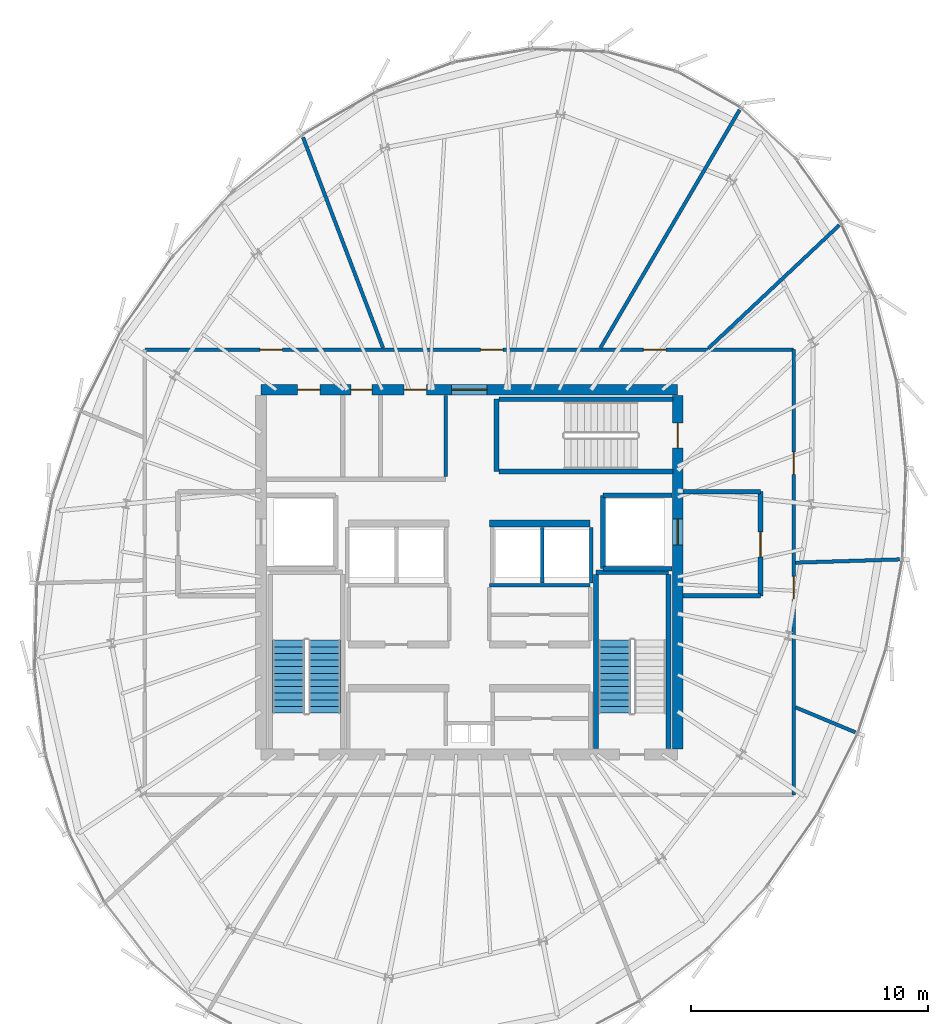
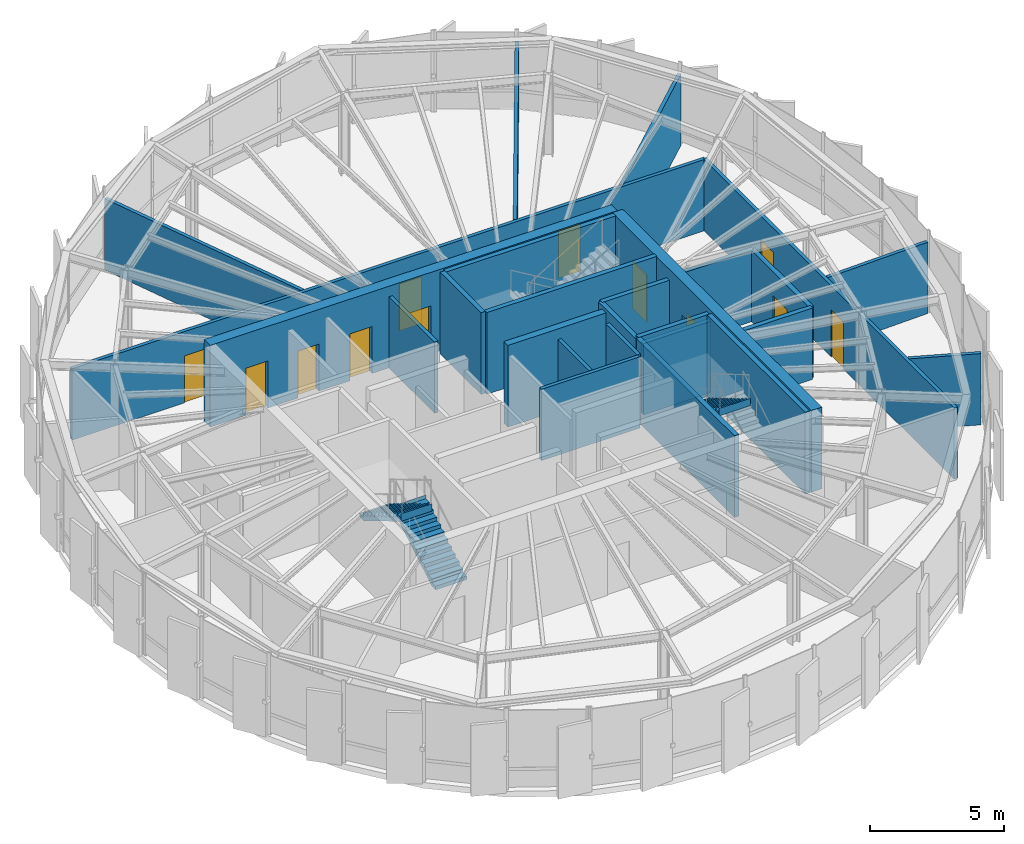
# One storey, part 21 of 25: 26 walls, 12 doors, 3 stair flights, 12 openings, 2 elements without a shape of their own.
"""IFC4 building model written with IfcOpenShell, lengths in metres."""

from ifc_helpers import new_model, si_unit, direction, frame, frame_2d, origin, place, context, subcontext, project, spatial, polyline, rectangle, outline, extrude, source, transform, mapped, material, layer, layer_set, type_object, element, fill, aggregate, save


model = new_model("IFC4")

# Units and contexts
model_context = context("Model", 3, precision=1e-05, world=origin(), true_north=direction((0.0, 1.0)))
body_context = subcontext(model_context, "Body", "Model", "MODEL_VIEW")
ifc_project = project(units=[si_unit("LENGTHUNIT", "METRE"), si_unit("AREAUNIT", "SQUARE_METRE"), si_unit("VOLUMEUNIT", "CUBIC_METRE"), si_unit("PLANEANGLEUNIT", "RADIAN"), si_unit("MASSUNIT", "GRAM", prefix="KILO"), si_unit("THERMODYNAMICTEMPERATUREUNIT", "KELVIN")], contexts=[model_context])

# Site, building, storey
site_placement = place(None, origin())
site = spatial("IfcSite", under=ifc_project, at=site_placement, CompositionType="ELEMENT")
building_placement = place(site_placement, origin())
building = spatial("IfcBuilding", under=site, at=building_placement, Name="Kethvar Cultural Tower", CompositionType="ELEMENT")
storey_placement = place(building_placement, frame((0.0, 0.0, 304.300048828125)))
storey = spatial("IfcBuildingStorey", under=building, at=storey_placement, Name="L81", CompositionType="ELEMENT", Elevation=304.300048828125)

# Wall, openings, doors
ifc_material_1 = material(Name="Concrete C50/60", Category="concrete")
ifc_layer_1 = layer(ifc_material_1, 0.449951171875, Name="Concrete C50/60", Category="concrete")
ifc_layer_set_1 = layer_set([ifc_layer_1], Name="Concrete C50/60 (450 mm)")
wall_type_1 = type_object("IfcWallType", Name="WL-CORE-450", PredefinedType="SHEAR", material=ifc_layer_set_1)
wall_1_placement = place(storey_placement, frame((55.60009765625, 35.5, 0.0), z_axis=(0.0, 0.0, 1.0), x_axis=(-1.0, 0.0, 0.0)))
wall_1 = element("IfcWall", 1, at=wall_1_placement, inside=storey, type_object=wall_type_1, Name="L81 Core Shear Wall N", PredefinedType="SHEAR", context=body_context, shape_type="SweptSolid", body=[
    extrude(rectangle(XDim=17.60009765625, YDim=0.449951171875, at=frame_2d((8.800048828125, 0.0))), origin(), (0.0, 0.0, 1.0), 3.73486328125),
])
opening_1_placement = place(wall_1_placement, frame((8.050048828125, 0.0, 0.0)))
opening_1 = element("IfcOpeningElement", 2, at=opening_1_placement, cuts=wall_1, Name="Opening D-L81-LN", PredefinedType="OPENING", context=body_context, shape_type="SweptSolid", body=[
    extrude(rectangle(XDim=1.5, YDim=2.199951171875, at=frame_2d((0.75, 1.10009765625))), frame((0.0, 0.23486328125, 0.0), z_axis=(0.0, -1.0, 0.0), x_axis=(1.0, 0.0, 0.0)), (0.0, 0.0, 1.0), 0.469970703125),
])
opening_2_placement = place(wall_1_placement, frame((15.10009765625, 0.0, 0.0)))
opening_2 = element("IfcOpeningElement", 3, at=opening_2_placement, cuts=wall_1, Name="Opening D-L81-E1", PredefinedType="OPENING", context=body_context, shape_type="SweptSolid", body=[
    extrude(rectangle(XDim=0.949951171875, YDim=2.14990234375, at=frame_2d((0.47509765625, 1.074951171875))), frame((0.0, 0.23486328125, 0.0), z_axis=(0.0, -1.0, 0.0), x_axis=(1.0, 0.0, 0.0)), (0.0, 0.0, 1.0), 0.469970703125),
])
opening_3_placement = place(wall_1_placement, frame((12.89990234375, 0.0, 0.0)))
opening_3 = element("IfcOpeningElement", 4, at=opening_3_placement, cuts=wall_1, Name="Opening D-L81-W1", PredefinedType="OPENING", context=body_context, shape_type="SweptSolid", body=[
    extrude(rectangle(XDim=0.89990234375, YDim=2.14990234375, at=frame_2d((0.449951171875, 1.074951171875))), frame((0.0, 0.23486328125, 0.0), z_axis=(0.0, -1.0, 0.0), x_axis=(1.0, 0.0, 0.0)), (0.0, 0.0, 1.0), 0.469970703125),
])
opening_4_placement = place(wall_1_placement, frame((10.60009765625, 0.0, 0.0)))
opening_4 = element("IfcOpeningElement", 5, at=opening_4_placement, cuts=wall_1, Name="Opening D-L81-W2", PredefinedType="OPENING", context=body_context, shape_type="SweptSolid", body=[
    extrude(rectangle(XDim=0.949951171875, YDim=2.14990234375, at=frame_2d((0.47509765625, 1.074951171875))), frame((0.0, 0.23486328125, 0.0), z_axis=(0.0, -1.0, 0.0), x_axis=(1.0, 0.0, 0.0)), (0.0, 0.0, 1.0), 0.469970703125),
])
ifc_material_2 = material(Name="Architectural Oak Timber", Category="wood")
door_type_1 = type_object("IfcDoorType", Name="DR-DBL-FD60-1500", OperationType="DOUBLE_DOOR_SINGLE_SWING", PredefinedType="DOOR", material=ifc_material_2)
shared_shape_1 = source(origin(), body_context, "Body", "SweptSolid", [
    extrude(rectangle(XDim=1.5, YDim=2.199951171875, at=frame_2d((0.75, 1.10009765625))), frame((0.0, 0.02490234375, 0.0), z_axis=(0.0, -1.0, 0.0), x_axis=(1.0, 0.0, 0.0)), (0.0, 0.0, 1.0), 0.050048828125),
])
door_1_placement = place(opening_1_placement, origin())
door_1 = element("IfcDoor", 6, at=door_1_placement, inside=storey, type_object=door_type_1, Name="L81 Lift Lobby Concourse Door", OperationType="DOUBLE_DOOR_SINGLE_SWING", OverallHeight=2.199951171875, OverallWidth=1.5, PredefinedType="DOOR", context=body_context, shape_type="MappedRepresentation", body=[
    mapped(shared_shape_1, transform((0.0, 0.0, 0.0), scale=1.0)),
])
fill(opening_1, door_1)
door_type_2 = type_object("IfcDoorType", Name="DR-FD30-950", OperationType="NOTDEFINED", PredefinedType="DOOR", material=ifc_material_2)
shared_shape_2 = source(origin(), body_context, "Body", "SweptSolid", [
    extrude(rectangle(XDim=0.949951171875, YDim=2.14990234375, at=frame_2d((0.47509765625, 1.074951171875))), frame((0.0, 0.02490234375, 0.0), z_axis=(0.0, -1.0, 0.0), x_axis=(1.0, 0.0, 0.0)), (0.0, 0.0, 1.0), 0.050048828125),
])
door_2_placement = place(opening_2_placement, origin())
door_2 = element("IfcDoor", 7, at=door_2_placement, inside=storey, type_object=door_type_2, Name="L81 Electrical Switchgear Door", OperationType="SINGLE_SWING_RIGHT", OverallHeight=2.14990234375, OverallWidth=0.949951171875, PredefinedType="DOOR", context=body_context, shape_type="MappedRepresentation", body=[
    mapped(shared_shape_2, transform((0.0, 0.0, 0.0), scale=1.0)),
])
fill(opening_2, door_2)
door_3_placement = place(opening_4_placement, origin())
door_3 = element("IfcDoor", 8, at=door_3_placement, inside=storey, type_object=door_type_2, Name="L81 Public Washroom Door", OperationType="SINGLE_SWING_RIGHT", OverallHeight=2.14990234375, OverallWidth=0.949951171875, PredefinedType="DOOR", context=body_context, shape_type="MappedRepresentation", body=[
    mapped(shared_shape_2, transform((0.0, 0.0, 0.0), scale=1.0)),
])
fill(opening_4, door_3)
door_type_3 = type_object("IfcDoorType", Name="DR-FD30-900", OperationType="NOTDEFINED", PredefinedType="DOOR", material=ifc_material_2)
shared_shape_3 = source(origin(), body_context, "Body", "SweptSolid", [
    extrude(rectangle(XDim=0.89990234375, YDim=2.14990234375, at=frame_2d((0.449951171875, 1.074951171875))), frame((0.0, 0.02490234375, 0.0), z_axis=(0.0, -1.0, 0.0), x_axis=(1.0, 0.0, 0.0)), (0.0, 0.0, 1.0), 0.050048828125),
])
door_4_placement = place(opening_3_placement, origin())
door_4 = element("IfcDoor", 9, at=door_4_placement, inside=storey, type_object=door_type_3, Name="L81 Accessible Washroom Door", OperationType="SINGLE_SWING_LEFT", OverallHeight=2.14990234375, OverallWidth=0.89990234375, PredefinedType="DOOR", context=body_context, shape_type="MappedRepresentation", body=[
    mapped(shared_shape_3, transform((0.0, 0.0, 0.0), scale=1.0)),
])
fill(opening_3, door_4)

wall_2_placement = place(storey_placement, frame((55.60009765625, 20.340087890625, 0.0), z_axis=(0.0, 0.0, 1.0), x_axis=(0.0, 1.0, 0.0)))
wall_2 = element("IfcWall", 10, at=wall_2_placement, inside=storey, type_object=wall_type_1, Name="L81 Core Shear Wall E", PredefinedType="SHEAR", context=body_context, shape_type="SweptSolid", body=[
    extrude(rectangle(XDim=14.919921875, YDim=0.449951171875, at=frame_2d((7.4599609375, 0.0))), origin(), (0.0, 0.0, 1.0), 3.73486328125),
])
opening_5_placement = place(wall_2_placement, frame((12.7099609375, 0.0, 0.0)))
opening_5 = element("IfcOpeningElement", 11, at=opening_5_placement, cuts=wall_2, Name="Opening D-L81-S3", PredefinedType="OPENING", context=body_context, shape_type="SweptSolid", body=[
    extrude(rectangle(XDim=1.050048828125, YDim=2.14990234375, at=frame_2d((0.52490234375, 1.074951171875))), frame((0.0, 0.23486328125, 0.0), z_axis=(0.0, -1.0, 0.0), x_axis=(1.0, 0.0, 0.0)), (0.0, 0.0, 1.0), 0.469970703125),
])
opening_6_placement = place(wall_2_placement, frame((8.610107421875, 0.0, 0.0)))
opening_6 = element("IfcOpeningElement", 12, at=opening_6_placement, cuts=wall_2, Name="Opening LD-2", PredefinedType="OPENING", context=body_context, shape_type="SweptSolid", body=[
    extrude(rectangle(XDim=1.10009765625, YDim=2.199951171875, at=frame_2d((0.550048828125, 1.10009765625))), frame((0.0, 0.23486328125, 0.0), z_axis=(0.0, -1.0, 0.0), x_axis=(1.0, 0.0, 0.0)), (0.0, 0.0, 1.0), 0.469970703125),
])
ifc_material_3 = material(Name="Steel S355J2", Category="steel")
door_type_4 = type_object("IfcDoorType", Name="DR-FD60-1050", OperationType="NOTDEFINED", PredefinedType="DOOR", material=ifc_material_3)
shared_shape_4 = source(origin(), body_context, "Body", "SweptSolid", [
    extrude(rectangle(XDim=1.050048828125, YDim=2.14990234375, at=frame_2d((0.52490234375, 1.074951171875))), frame((0.0, 0.02490234375, 0.0), z_axis=(0.0, -1.0, 0.0), x_axis=(1.0, 0.0, 0.0)), (0.0, 0.0, 1.0), 0.050048828125),
])
door_5_placement = place(opening_5_placement, origin())
door_5 = element("IfcDoor", 13, at=door_5_placement, inside=storey, type_object=door_type_4, Name="L81 Exit Stair 3 Door", OperationType="SINGLE_SWING_LEFT", OverallHeight=2.14990234375, OverallWidth=1.050048828125, PredefinedType="DOOR", context=body_context, shape_type="MappedRepresentation", body=[
    mapped(shared_shape_4, transform((0.0, 0.0, 0.0), scale=1.0)),
])
fill(opening_5, door_5)
door_type_5 = type_object("IfcDoorType", Name="DR-LIFT-SLIDE-1100", OperationType="NOTDEFINED", PredefinedType="DOOR", material=ifc_material_3)
shared_shape_5 = source(origin(), body_context, "Body", "SweptSolid", [
    extrude(rectangle(XDim=1.10009765625, YDim=2.199951171875, at=frame_2d((0.550048828125, 1.10009765625))), frame((0.0, 0.02490234375, 0.0), z_axis=(0.0, -1.0, 0.0), x_axis=(1.0, 0.0, 0.0)), (0.0, 0.0, 1.0), 0.050048828125),
])
door_6_placement = place(opening_6_placement, origin())
door_6 = element("IfcDoor", 14, at=door_6_placement, inside=storey, type_object=door_type_5, Name="L81 Firefighting Lift Landing Door FFL-02", OperationType="SLIDING_TO_RIGHT", OverallHeight=2.199951171875, OverallWidth=1.10009765625, PredefinedType="DOOR", context=body_context, shape_type="MappedRepresentation", body=[
    mapped(shared_shape_5, transform((0.0, 0.0, 0.0), scale=1.0)),
])
fill(opening_6, door_6)

# Walls
ifc_material_4 = material(Name="Gypsum Fireboard Partition")
ifc_layer_2 = layer(ifc_material_4, 0.14990234375, Name="Gypsum Fireboard Partition")
ifc_layer_set_2 = layer_set([ifc_layer_2], Name="Gypsum Fireboard Partition (150 mm)")
wall_type_2 = type_object("IfcWallType", Name="WL-FIRE-150", PredefinedType="PARTITIONING", material=ifc_layer_set_2)
wall_3_placement = place(storey_placement, frame((47.64990234375, 27.25, 0.0), z_axis=(0.0, 0.0, 1.0), x_axis=(1.0, 0.0, 0.0)))
element("IfcWall", 15, at=wall_3_placement, inside=storey, type_object=wall_type_2, Name="L81 Reclaimed Mid Wall E", PredefinedType="PARTITIONING", context=body_context, shape_type="SweptSolid", body=[
    extrude(rectangle(XDim=4.25, YDim=0.14990234375, at=frame_2d((2.125, 0.0))), origin(), (0.0, 0.0, 1.0), 3.260009765625),
])
for number, where, z_axis, x_axis, name in (
    (16, (49.875, 27.340087890625, 0.0), (0.0, 0.0, 1.0), (0.0, 1.0, 0.0), "L81 High-Rise Lift Shaft Divider E"),
    (17, (51.949951171875, 27.340087890625, 0.0), (0.0, 0.0, 1.0), (0.0, 1.0, 0.0), "L81 High-Rise Lift Shaft Outer Wall E"),
):
    element("IfcWall", number, at=place(storey_placement, frame(where, z_axis=z_axis, x_axis=x_axis)), inside=storey, type_object=wall_type_2, Name=name, PredefinedType="PARTITIONING", context=body_context, shape_type="SweptSolid", body=[
        extrude(rectangle(XDim=2.33984375, YDim=0.14990234375, at=frame_2d((1.169921875, 0.0))), origin(), (0.0, 0.0, 1.0), 3.260009765625),
    ])
wall_4_placement = place(storey_placement, frame((45.800048828125, 31.85009765625, 0.0), z_axis=(0.0, 0.0, 1.0), x_axis=(0.0, 1.0, 0.0)))
element("IfcWall", 18, at=wall_4_placement, inside=storey, type_object=wall_type_2, Name="L81 Sanitary Spine Wall", PredefinedType="PARTITIONING", context=body_context, shape_type="SweptSolid", body=[
    extrude(rectangle(XDim=3.414794921875, YDim=0.14990234375, at=frame_2d((1.70751953125, 0.0))), origin(), (0.0, 0.0, 1.0), 3.260009765625),
])

# Wall, openings, doors
wall_5_placement = place(storey_placement, frame((60.5, 18.39990234375, 0.0), z_axis=(0.0, 0.0, 1.0), x_axis=(0.0, 1.0, 0.0)))
wall_5 = element("IfcWall", 19, at=wall_5_placement, inside=storey, type_object=wall_type_2, Name="L81 Corridor Rated Wall E", PredefinedType="PARTITIONING", context=body_context, shape_type="SweptSolid", body=[
    extrude(rectangle(XDim=18.800048828125, YDim=0.14990234375, at=frame_2d((9.39990234375, 0.0))), origin(), (0.0, 0.0, 1.0), 3.260009765625),
])
opening_7_placement = place(wall_5_placement, frame((8.2763671875, 0.0, 0.0)))
opening_7 = element("IfcOpeningElement", 20, at=opening_7_placement, cuts=wall_5, Name="Opening D-L81-05", PredefinedType="OPENING", context=body_context, shape_type="SweptSolid", body=[
    extrude(rectangle(XDim=0.949951171875, YDim=2.14990234375, at=frame_2d((0.47509765625, 1.074951171875))), frame((0.0, 0.0849609375, 0.0), z_axis=(0.0, -1.0, 0.0), x_axis=(1.0, 0.0, 0.0)), (0.0, 0.0, 1.0), 0.169921875),
])
opening_8_placement = place(wall_5_placement, frame((13.535400390625, 0.0, 0.0)))
opening_8 = element("IfcOpeningElement", 21, at=opening_8_placement, cuts=wall_5, Name="Opening D-L81-06", PredefinedType="OPENING", context=body_context, shape_type="SweptSolid", body=[
    extrude(rectangle(XDim=0.949951171875, YDim=2.14990234375, at=frame_2d((0.47509765625, 1.074951171875))), frame((0.0, 0.0849609375, 0.0), z_axis=(0.0, -1.0, 0.0), x_axis=(1.0, 0.0, 0.0)), (0.0, 0.0, 1.0), 0.169921875),
])
door_7_placement = place(opening_7_placement, origin())
door_7 = element("IfcDoor", 22, at=door_7_placement, inside=storey, type_object=door_type_2, Name="L81 Fire Reserve Tank Plant Room 05 Door", OperationType="SINGLE_SWING_RIGHT", OverallHeight=2.14990234375, OverallWidth=0.949951171875, PredefinedType="DOOR", context=body_context, shape_type="MappedRepresentation", body=[
    mapped(shared_shape_2, transform((0.0, 0.0, 0.0), scale=1.0)),
])
fill(opening_7, door_7)
door_8_placement = place(opening_8_placement, origin())
door_8 = element("IfcDoor", 23, at=door_8_placement, inside=storey, type_object=door_type_2, Name="L81 Facade BMU Mechanical Plant Room 06 Door", OperationType="SINGLE_SWING_LEFT", OverallHeight=2.14990234375, OverallWidth=0.949951171875, PredefinedType="DOOR", context=body_context, shape_type="MappedRepresentation", body=[
    mapped(shared_shape_2, transform((0.0, 0.0, 0.0), scale=1.0)),
])
fill(opening_8, door_8)

wall_6_placement = place(storey_placement, frame((60.5, 37.199951171875, 0.0), z_axis=(0.0, 0.0, 1.0), x_axis=(-1.0, 0.0, 0.0)))
wall_6 = element("IfcWall", 24, at=wall_6_placement, inside=storey, type_object=wall_type_2, Name="L81 Corridor Rated Wall N", PredefinedType="PARTITIONING", context=body_context, shape_type="SweptSolid", body=[
    extrude(rectangle(XDim=27.39990234375, YDim=0.14990234375, at=frame_2d((13.699951171875, 0.0))), origin(), (0.0, 0.0, 1.0), 3.260009765625),
])
opening_9_placement = place(wall_6_placement, frame((5.393310546875, 0.0, 0.0)))
opening_9 = element("IfcOpeningElement", 25, at=opening_9_placement, cuts=wall_6, Name="Opening D-L81-07", PredefinedType="OPENING", context=body_context, shape_type="SweptSolid", body=[
    extrude(rectangle(XDim=0.949951171875, YDim=2.14990234375, at=frame_2d((0.47509765625, 1.074951171875))), frame((0.0, 0.0849609375, 0.0), z_axis=(0.0, -1.0, 0.0), x_axis=(1.0, 0.0, 0.0)), (0.0, 0.0, 1.0), 0.169921875),
])
opening_10_placement = place(wall_6_placement, frame((12.2724609375, 0.0, 0.0)))
opening_10 = element("IfcOpeningElement", 26, at=opening_10_placement, cuts=wall_6, Name="Opening D-L81-08", PredefinedType="OPENING", context=body_context, shape_type="SweptSolid", body=[
    extrude(rectangle(XDim=0.949951171875, YDim=2.14990234375, at=frame_2d((0.47509765625, 1.074951171875))), frame((0.0, 0.0849609375, 0.0), z_axis=(0.0, -1.0, 0.0), x_axis=(1.0, 0.0, 0.0)), (0.0, 0.0, 1.0), 0.169921875),
])
opening_11_placement = place(wall_6_placement, frame((21.59228515625, 0.0, 0.0)))
opening_11 = element("IfcOpeningElement", 27, at=opening_11_placement, cuts=wall_6, Name="Opening D-L81-09", PredefinedType="OPENING", context=body_context, shape_type="SweptSolid", body=[
    extrude(rectangle(XDim=0.949951171875, YDim=2.14990234375, at=frame_2d((0.47509765625, 1.074951171875))), frame((0.0, 0.0849609375, 0.0), z_axis=(0.0, -1.0, 0.0), x_axis=(1.0, 0.0, 0.0)), (0.0, 0.0, 1.0), 0.169921875),
])
door_9_placement = place(opening_9_placement, origin())
door_9 = element("IfcDoor", 28, at=door_9_placement, inside=storey, type_object=door_type_2, Name="L81 Cooling Tower Pump Plant Room 07 Door", OperationType="SINGLE_SWING_RIGHT", OverallHeight=2.14990234375, OverallWidth=0.949951171875, PredefinedType="DOOR", context=body_context, shape_type="MappedRepresentation", body=[
    mapped(shared_shape_2, transform((0.0, 0.0, 0.0), scale=1.0)),
])
fill(opening_9, door_9)
door_10_placement = place(opening_10_placement, origin())
door_10 = element("IfcDoor", 29, at=door_10_placement, inside=storey, type_object=door_type_2, Name="L81 Emergency UPS Plant Room 08 Door", OperationType="SINGLE_SWING_LEFT", OverallHeight=2.14990234375, OverallWidth=0.949951171875, PredefinedType="DOOR", context=body_context, shape_type="MappedRepresentation", body=[
    mapped(shared_shape_2, transform((0.0, 0.0, 0.0), scale=1.0)),
])
fill(opening_10, door_10)
door_11_placement = place(opening_11_placement, origin())
door_11 = element("IfcDoor", 30, at=door_11_placement, inside=storey, type_object=door_type_2, Name="L81 Smoke Extract Mechanical Plant Room 09 Door", OperationType="SINGLE_SWING_RIGHT", OverallHeight=2.14990234375, OverallWidth=0.949951171875, PredefinedType="DOOR", context=body_context, shape_type="MappedRepresentation", body=[
    mapped(shared_shape_2, transform((0.0, 0.0, 0.0), scale=1.0)),
])
fill(opening_11, door_11)

# Walls
wall_7_placement = place(storey_placement, frame((60.57373046875, 22.094482421875, 0.0), z_axis=(0.0, 0.0, 1.0), x_axis=(0.92276063228, -0.385373605109, 0.0)))
element("IfcWall", 31, at=wall_7_placement, inside=storey, type_object=wall_type_2, Name="L81 Radial Partition Wall 05", PredefinedType="PARTITIONING", context=body_context, shape_type="SweptSolid", body=[
    extrude(rectangle(XDim=2.7431640625, YDim=0.14990234375, at=frame_2d((1.37158203125, 0.0))), origin(), (0.0, 0.0, 1.0), 3.260009765625),
])
wall_8_placement = place(storey_placement, frame((60.580078125, 28.202880859375, 0.0), z_axis=(0.0, 0.0, 1.0), x_axis=(0.999517686505, 0.031054699536, 0.0)))
element("IfcWall", 32, at=wall_8_placement, inside=storey, type_object=wall_type_2, Name="L81 Radial Partition Wall 06", PredefinedType="PARTITIONING", context=body_context, shape_type="SweptSolid", body=[
    extrude(rectangle(XDim=4.402587890625, YDim=0.14990234375, at=frame_2d((2.201171875, 0.0))), origin(), (0.0, 0.0, 1.0), 3.260009765625),
])
wall_9_placement = place(storey_placement, frame((56.896484375, 37.2548828125, 0.0), z_axis=(0.0, 0.0, 1.0), x_axis=(0.728447090506, 0.685102062713, 0.0)))
element("IfcWall", 33, at=wall_9_placement, inside=storey, type_object=wall_type_2, Name="L81 Radial Partition Wall 07", PredefinedType="PARTITIONING", context=body_context, shape_type="SweptSolid", body=[
    extrude(rectangle(XDim=7.59814453125, YDim=0.14990234375, at=frame_2d((3.799072265625, 0.0))), origin(), (0.0, 0.0, 1.0), 3.260009765625),
])
wall_10_placement = place(storey_placement, frame((52.335693359375, 37.26904296875, 0.0), z_axis=(0.0, 0.0, 1.0), x_axis=(0.504823212325, 0.863222754738, 0.0)))
element("IfcWall", 34, at=wall_10_placement, inside=storey, type_object=wall_type_2, Name="L81 Radial Partition Wall 08", PredefinedType="PARTITIONING", context=body_context, shape_type="SweptSolid", body=[
    extrude(rectangle(XDim=11.64990234375, YDim=0.14990234375, at=frame_2d((5.824951171875, 0.0))), origin(), (0.0, 0.0, 1.0), 3.260009765625),
])
wall_11_placement = place(storey_placement, frame((43.1572265625, 37.27490234375, 0.0), z_axis=(0.0, 0.0, 1.0), x_axis=(-0.355321814882, 0.934744033342, 0.0)))
element("IfcWall", 35, at=wall_11_placement, inside=storey, type_object=wall_type_2, Name="L81 Radial Partition Wall 09", PredefinedType="PARTITIONING", context=body_context, shape_type="SweptSolid", body=[
    extrude(rectangle(XDim=9.512939453125, YDim=0.14990234375, at=frame_2d((4.75634765625, 0.0))), origin(), (0.0, 0.0, 1.0), 3.260009765625),
])
ifc_material_5 = material(Name="Concrete C40/50", Category="concrete")
ifc_layer_3 = layer(ifc_material_5, 0.199951171875, Name="Concrete C40/50", Category="concrete")
ifc_layer_set_3 = layer_set([ifc_layer_3], Name="Concrete C40/50 (200 mm)")
wall_type_3 = type_object("IfcWallType", Name="WL-FIRE-200", PredefinedType="PARTITIONING", material=ifc_layer_set_3)
wall_12_placement = place(storey_placement, frame((52.449951171875, 27.949951171875, 0.0), z_axis=(0.0, 0.0, 1.0), x_axis=(0.0, 1.0, 0.0)))
element("IfcWall", 36, at=wall_12_placement, inside=storey, type_object=wall_type_3, Name="L81 FFL-02 Shaft Inner Wall", PredefinedType="PARTITIONING", context=body_context, shape_type="SweptSolid", body=[
    extrude(rectangle(XDim=3.10009765625, YDim=0.199951171875, at=frame_2d((1.550048828125, 0.0))), origin(), (0.0, 0.0, 1.0), 3.260009765625),
])
for number, where, z_axis, x_axis, name in (
    (37, (52.449951171875, 27.949951171875, 0.0), (0.0, 0.0, 1.0), (1.0, 0.0, 0.0), "L81 FFL-02 Shaft South Wall"),
    (38, (52.449951171875, 31.050048828125, 0.0), (0.0, 0.0, 1.0), (1.0, 0.0, 0.0), "L81 FFL-02 Shaft North Wall"),
):
    element("IfcWall", number, at=place(storey_placement, frame(where, z_axis=z_axis, x_axis=x_axis)), inside=storey, type_object=wall_type_3, Name=name, PredefinedType="PARTITIONING", context=body_context, shape_type="SweptSolid", body=[
        extrude(rectangle(XDim=2.9150390625, YDim=0.199951171875, at=frame_2d((1.45751953125, 0.0))), origin(), (0.0, 0.0, 1.0), 3.260009765625),
    ])

# Wall, opening, door
wall_13_placement = place(storey_placement, frame((59.10009765625, 26.800048828125, 0.0), z_axis=(0.0, 0.0, 1.0), x_axis=(0.0, 1.0, 0.0)))
wall_13 = element("IfcWall", 39, at=wall_13_placement, inside=storey, type_object=wall_type_3, Name="L81 Firefighting Lobby 2 Wall", PredefinedType="PARTITIONING", context=body_context, shape_type="SweptSolid", body=[
    extrude(rectangle(XDim=4.39990234375, YDim=0.199951171875, at=frame_2d((2.199951171875, 0.0))), origin(), (0.0, 0.0, 1.0), 3.260009765625),
])
opening_12_placement = place(wall_13_placement, frame((1.64990234375, 0.0, 0.0)))
opening_12 = element("IfcOpeningElement", 40, at=opening_12_placement, cuts=wall_13, Name="Opening D-L81-F2", PredefinedType="OPENING", context=body_context, shape_type="SweptSolid", body=[
    extrude(rectangle(XDim=1.050048828125, YDim=2.14990234375, at=frame_2d((0.52490234375, 1.074951171875))), frame((0.0, 0.10986328125, 0.0), z_axis=(0.0, -1.0, 0.0), x_axis=(1.0, 0.0, 0.0)), (0.0, 0.0, 1.0), 0.219970703125),
])
door_12_placement = place(opening_12_placement, origin())
door_12 = element("IfcDoor", 41, at=door_12_placement, inside=storey, type_object=door_type_4, Name="L81 Firefighting Lobby 2 Fire Door", OperationType="SINGLE_SWING_LEFT", OverallHeight=2.14990234375, OverallWidth=1.050048828125, PredefinedType="DOOR", context=body_context, shape_type="MappedRepresentation", body=[
    mapped(shared_shape_4, transform((0.0, 0.0, 0.0), scale=1.0)),
])
fill(opening_12, door_12)

# Walls
for number, where, z_axis, x_axis, name in (
    (42, (55.8349609375, 26.800048828125, 0.0), (0.0, 0.0, 1.0), (1.0, 0.0, 0.0), "L81 FF Lobby 2 South Wall"),
    (43, (55.8349609375, 31.199951171875, 0.0), (0.0, 0.0, 1.0), (1.0, 0.0, 0.0), "L81 FF Lobby 2 North Wall"),
):
    element("IfcWall", number, at=place(storey_placement, frame(where, z_axis=z_axis, x_axis=x_axis)), inside=storey, type_object=wall_type_3, Name=name, PredefinedType="PARTITIONING", context=body_context, shape_type="SweptSolid", body=[
        extrude(rectangle(XDim=3.26513671875, YDim=0.199951171875, at=frame_2d((1.632568359375, 0.0))), origin(), (0.0, 0.0, 1.0), 3.260009765625),
    ])
ifc_layer_4 = layer(ifc_material_1, 0.300048828125, Name="Concrete C50/60", Category="concrete")
ifc_layer_set_4 = layer_set([ifc_layer_4], Name="Concrete C50/60 (300 mm)")
wall_type_4 = type_object("IfcWallType", Name="WL-SHAFT-300", PredefinedType="SHEAR", material=ifc_layer_set_4)
wall_14_placement = place(storey_placement, frame((47.64990234375, 29.85009765625, 0.0), z_axis=(0.0, 0.0, 1.0), x_axis=(1.0, 0.0, 0.0)))
element("IfcWall", 44, at=wall_14_placement, inside=storey, type_object=wall_type_4, Name="L81 Core Lift Spine Wall MID3E", PredefinedType="SHEAR", context=body_context, shape_type="SweptSolid", body=[
    extrude(rectangle(XDim=4.25, YDim=0.300048828125, at=frame_2d((2.125, 0.0))), origin(), (0.0, 0.0, 1.0), 3.73486328125),
])
ifc_layer_5 = layer(ifc_material_1, 0.199951171875, Name="Concrete C50/60", Category="concrete")
ifc_layer_set_5 = layer_set([ifc_layer_5], Name="Concrete C50/60 (200 mm)")
wall_type_5 = type_object("IfcWallType", Name="WL-STSHAFT-200", PredefinedType="SHEAR", material=ifc_layer_set_5)
wall_15_placement = place(storey_placement, frame((52.14990234375, 27.800048828125, 0.0), z_axis=(0.0, 0.0, 1.0), x_axis=(1.0, 0.0, 0.0)))
element("IfcWall", 45, at=wall_15_placement, inside=storey, type_object=wall_type_5, Name="L81 ST-02 Stair Shaft Wall FAR", PredefinedType="SHEAR", context=body_context, shape_type="SweptSolid", body=[
    extrude(rectangle(XDim=3.06005859375, YDim=0.199951171875, at=frame_2d((1.530029296875, 0.0))), origin(), (0.0, 0.0, 1.0), 3.73486328125),
])
for number, where, z_axis, x_axis, name in (
    (46, (55.2099609375, 27.699951171875, 0.0), (0.0, 0.0, 1.0), (0.0, -1.0, 0.0), "L81 ST-02 Stair Shaft Wall LEFT"),
    (47, (52.14990234375, 20.35009765625, 0.0), (0.0, 0.0, 1.0), (0.0, 1.0, 0.0), "L81 ST-02 Stair Shaft Wall RIGHT"),
):
    element("IfcWall", number, at=place(storey_placement, frame(where, z_axis=z_axis, x_axis=x_axis)), inside=storey, type_object=wall_type_5, Name=name, PredefinedType="SHEAR", context=body_context, shape_type="SweptSolid", body=[
        extrude(rectangle(XDim=7.349853515625, YDim=0.199951171875, at=frame_2d((3.6748046875, 0.0))), origin(), (0.0, 0.0, 1.0), 3.73486328125),
    ])
wall_16_placement = place(storey_placement, frame((47.949951171875, 32.050048828125, 0.0), z_axis=(0.0, 0.0, 1.0), x_axis=(0.0, 1.0, 0.0)))
element("IfcWall", 48, at=wall_16_placement, inside=storey, type_object=wall_type_5, Name="L81 ST-03 Stair Shaft Wall FAR", PredefinedType="SHEAR", context=body_context, shape_type="SweptSolid", body=[
    extrude(rectangle(XDim=3.06005859375, YDim=0.199951171875, at=frame_2d((1.530029296875, 0.0))), origin(), (0.0, 0.0, 1.0), 3.73486328125),
])
for number, where, z_axis, x_axis, name in (
    (49, (48.050048828125, 35.110107421875, 0.0), (0.0, 0.0, 1.0), (1.0, 0.0, 0.0), "L81 ST-03 Stair Shaft Wall LEFT"),
    (50, (55.39990234375, 32.050048828125, 0.0), (0.0, 0.0, 1.0), (-1.0, 0.0, 0.0), "L81 ST-03 Stair Shaft Wall RIGHT"),
):
    element("IfcWall", number, at=place(storey_placement, frame(where, z_axis=z_axis, x_axis=x_axis)), inside=storey, type_object=wall_type_5, Name=name, PredefinedType="SHEAR", context=body_context, shape_type="SweptSolid", body=[
        extrude(rectangle(XDim=7.349853515625, YDim=0.199951171875, at=frame_2d((3.6748046875, 0.0))), origin(), (0.0, 0.0, 1.0), 3.73486328125),
    ])

# Stair, stair flights
stair_type = type_object("IfcStairType", Name="ST-DOGLEG-135", PredefinedType="HALF_TURN_STAIR", material=ifc_material_5)
stair_1_placement = place(storey_placement, origin())
stair_1 = element("IfcStair", 51, at=stair_1_placement, inside=storey, type_object=stair_type, Name="L81 Core Exit Stair 1", PredefinedType="HALF_TURN_STAIR")
stair_flight_type = type_object("IfcStairFlightType", Name="FL-STRAIGHT-135", PredefinedType="STRAIGHT", material=ifc_material_5)
stair_flight_1_placement = place(storey_placement, frame((40.675048828125, 21.85009765625, 0.0), z_axis=(0.0, 0.0, 1.0), x_axis=(0.0, 1.0, 0.0)))
stair_flight_1 = element("IfcStairFlight", 52, at=stair_flight_1_placement, type_object=stair_flight_type, Name="ST-01 flight 1", NumberOfRisers=12, NumberOfTreads=11, PredefinedType="STRAIGHT", RiserHeight=0.166666667, TreadLength=0.28, context=body_context, shape_type="SweptSolid", body=[
    extrude(outline(polyline([(-0.0009765625, -0.0009765625), (-0.0009765625, 0.166748046875), (0.280029296875, 0.166748046875), (0.280029296875, 0.333251953125), (0.56005859375, 0.333251953125), (0.56005859375, 0.5), (0.840087890625, 0.5), (0.840087890625, 0.666748046875), (1.1201171875, 0.666748046875), (1.1201171875, 0.833251953125), (1.39990234375, 0.833251953125), (1.39990234375, 1.0), (1.679931640625, 1.0), (1.679931640625, 1.166748046875), (1.9599609375, 1.166748046875), (1.9599609375, 1.333251953125), (2.239990234375, 1.333251953125), (2.239990234375, 1.5), (2.52001953125, 1.5), (2.52001953125, 1.666748046875), (2.800048828125, 1.666748046875), (2.800048828125, 1.833251953125), (3.080078125, 1.833251953125), (3.080078125, 2.0), (3.0810546875, 2.0), (3.0810546875, 1.658935546875), (0.29296875, 0.0), (0.0, -0.0009765625), (-0.0009765625, -0.0009765625)])), frame((0.0, 0.675048828125, 0.0), z_axis=(0.0, -1.0, 0.0), x_axis=(1.0, 0.0, 0.0)), (0.0, 0.0, 1.0), 1.35009765625),
])
stair_flight_2_placement = place(storey_placement, frame((39.1650390625, 24.929931640625, 2.0), z_axis=(0.0, 0.0, 1.0), x_axis=(0.0, -1.0, 0.0)))
stair_flight_2 = element("IfcStairFlight", 53, at=stair_flight_2_placement, type_object=stair_flight_type, Name="ST-01 flight 2", NumberOfRisers=12, NumberOfTreads=11, PredefinedType="STRAIGHT", RiserHeight=0.166666667, TreadLength=0.28, context=body_context, shape_type="SweptSolid", body=[
    extrude(outline(polyline([(-0.0009765625, -0.0009765625), (-0.0009765625, 0.166748046875), (0.280029296875, 0.166748046875), (0.280029296875, 0.333251953125), (0.56005859375, 0.333251953125), (0.56005859375, 0.5), (0.840087890625, 0.5), (0.840087890625, 0.666748046875), (1.1201171875, 0.666748046875), (1.1201171875, 0.833251953125), (1.39990234375, 0.833251953125), (1.39990234375, 1.0), (1.679931640625, 1.0), (1.679931640625, 1.166748046875), (1.9599609375, 1.166748046875), (1.9599609375, 1.333251953125), (2.239990234375, 1.333251953125), (2.239990234375, 1.5), (2.52001953125, 1.5), (2.52001953125, 1.666748046875), (2.800048828125, 1.666748046875), (2.800048828125, 1.833251953125), (3.080078125, 1.833251953125), (3.080078125, 2.0), (3.0810546875, 2.0), (3.0810546875, 1.658935546875), (0.29296875, 0.0), (0.0, -0.0009765625), (-0.0009765625, -0.0009765625)])), frame((0.0, 0.675048828125, 0.0), z_axis=(0.0, -1.0, 0.0), x_axis=(1.0, 0.0, 0.0)), (0.0, 0.0, 1.0), 1.35009765625),
])
aggregate(stair_1, [stair_flight_1, stair_flight_2])

# Stair, stair flight
stair_2_placement = place(storey_placement, origin())
stair_2 = element("IfcStair", 54, at=stair_2_placement, inside=storey, type_object=stair_type, Name="L81 Core Exit Stair 2", PredefinedType="HALF_TURN_STAIR")
stair_flight_3_placement = place(storey_placement, frame((52.925048828125, 24.929931640625, 2.0), z_axis=(0.0, 0.0, 1.0), x_axis=(0.0, -1.0, 0.0)))
stair_flight_3 = element("IfcStairFlight", 55, at=stair_flight_3_placement, type_object=stair_flight_type, Name="ST-02 flight 2", NumberOfRisers=12, NumberOfTreads=11, PredefinedType="STRAIGHT", RiserHeight=0.166666667, TreadLength=0.28, context=body_context, shape_type="SweptSolid", body=[
    extrude(outline(polyline([(-0.0009765625, -0.0009765625), (-0.0009765625, 0.166748046875), (0.280029296875, 0.166748046875), (0.280029296875, 0.333251953125), (0.56005859375, 0.333251953125), (0.56005859375, 0.5), (0.840087890625, 0.5), (0.840087890625, 0.666748046875), (1.1201171875, 0.666748046875), (1.1201171875, 0.833251953125), (1.39990234375, 0.833251953125), (1.39990234375, 1.0), (1.679931640625, 1.0), (1.679931640625, 1.166748046875), (1.9599609375, 1.166748046875), (1.9599609375, 1.333251953125), (2.239990234375, 1.333251953125), (2.239990234375, 1.5), (2.52001953125, 1.5), (2.52001953125, 1.666748046875), (2.800048828125, 1.666748046875), (2.800048828125, 1.833251953125), (3.080078125, 1.833251953125), (3.080078125, 2.0), (3.0810546875, 2.0), (3.0810546875, 1.658935546875), (0.29296875, 0.0), (0.0, -0.0009765625), (-0.0009765625, -0.0009765625)])), frame((0.0, 0.675048828125, 0.0), z_axis=(0.0, -1.0, 0.0), x_axis=(1.0, 0.0, 0.0)), (0.0, 0.0, 1.0), 1.35009765625),
])
aggregate(stair_2, [stair_flight_3])

save(model, "model.ifc")
